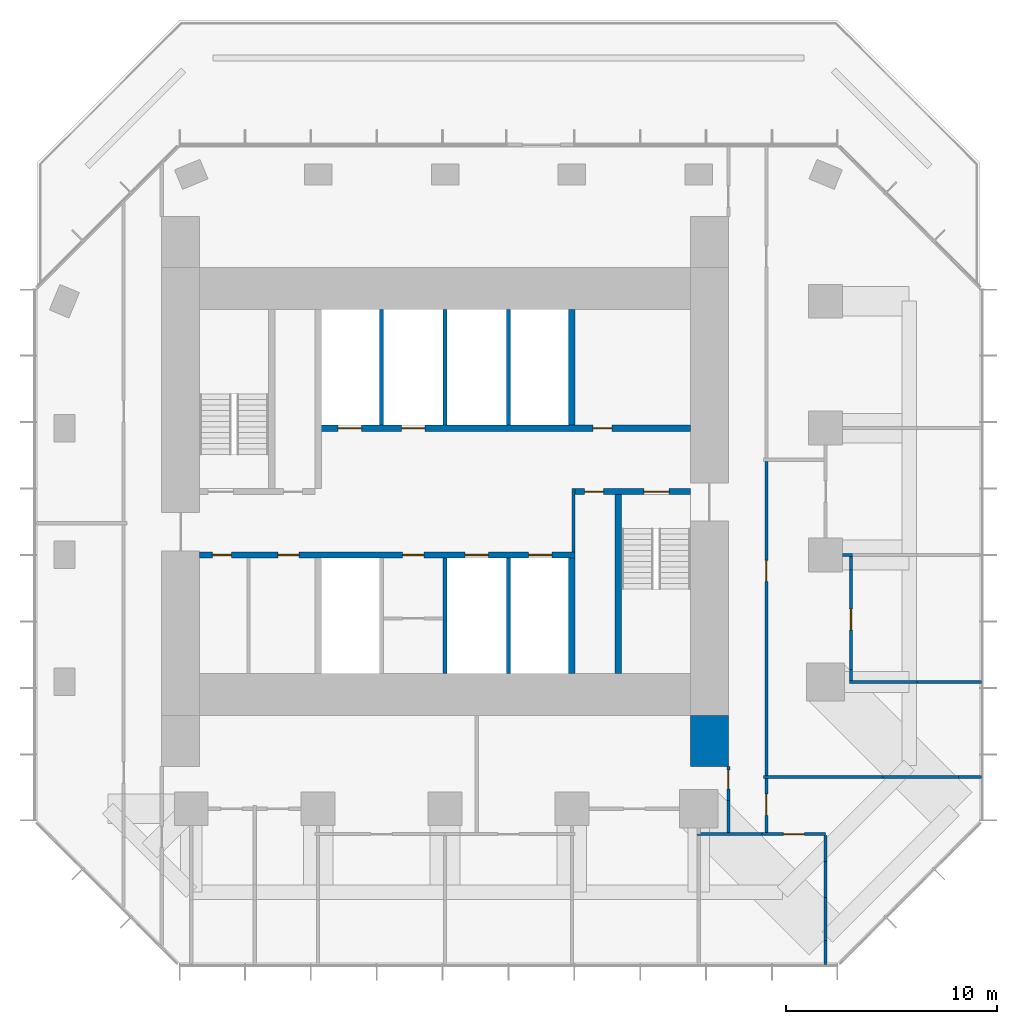
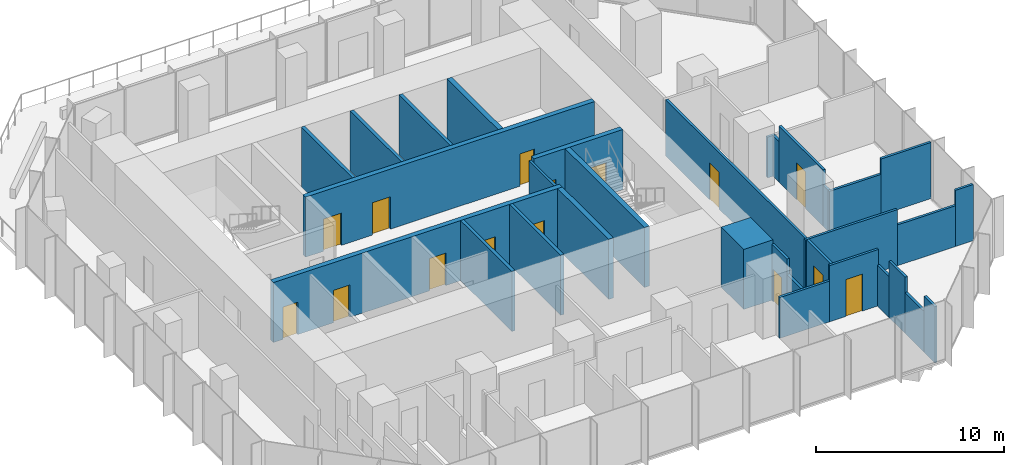
# One storey, part 9 of 11: 32 walls, 15 doors, 15 openings.
"""IFC4 building model written with IfcOpenShell, lengths in metres."""

from ifc_helpers import new_model, si_unit, direction, frame, frame_2d, origin, place, context, subcontext, project, spatial, rectangle, extrude, material, layer, layer_set, type_object, element, fill, save


model = new_model("IFC4")

# Units and contexts
model_context = context("Model", 3, precision=1e-05, world=origin(), true_north=direction((0.0, 1.0)))
body_context = subcontext(model_context, "Body", "Model", "MODEL_VIEW")
ifc_project = project(units=[si_unit("LENGTHUNIT", "METRE"), si_unit("AREAUNIT", "SQUARE_METRE"), si_unit("VOLUMEUNIT", "CUBIC_METRE"), si_unit("PLANEANGLEUNIT", "RADIAN"), si_unit("MASSUNIT", "GRAM", prefix="KILO")], contexts=[model_context])

# Site, building, storey
site_placement = place(None, origin())
site = spatial("IfcSite", under=ifc_project, at=site_placement, CompositionType="ELEMENT")
building_placement = place(site_placement, origin())
building = spatial("IfcBuilding", under=site, at=building_placement, Name="Highveld Stack Headquarters", CompositionType="ELEMENT")
storey_placement = place(building_placement, frame((0.0, 0.0, 268.39990234375)))
storey = spatial("IfcBuildingStorey", under=building, at=storey_placement, Name="L66", CompositionType="ELEMENT", Elevation=268.39990234375)

# Wall, openings, doors
ifc_material_1 = material(Name="Concrete C60/75", Category="concrete")
ifc_layer_1 = layer(ifc_material_1, 0.300048828125)
ifc_layer_set_1 = layer_set([ifc_layer_1], Name="Concrete C60/75")
wall_type_1 = type_object("IfcWallType", Name="CORE WALL 300 C60/75", PredefinedType="SHEAR", material=ifc_layer_set_1)
wall_1_placement = place(storey_placement, frame((-5.60009765625, 0.0, 0.0), z_axis=(0.0, 0.0, 1.0), x_axis=(1.0, 0.0, 0.0)))
wall_1 = element("IfcWall", 1, at=wall_1_placement, inside=storey, type_object=wall_type_1, Name="Core wall I-Y0 L66", PredefinedType="SHEAR", context=body_context, shape_type="SweptSolid", body=[
    extrude(rectangle(XDim=17.75, YDim=0.300048828125, at=frame_2d((8.875, 0.0))), origin(), (0.0, 0.0, 1.0), 3.900146484375),
])
opening_1_placement = place(wall_1_placement, frame((0.60009765625, 0.0, 0.0)))
opening_1 = element("IfcOpeningElement", 2, at=opening_1_placement, cuts=wall_1, Name="Opening L66-08", PredefinedType="OPENING", context=body_context, shape_type="SweptSolid", body=[
    extrude(rectangle(XDim=0.89990234375, YDim=2.10009765625, at=frame_2d((0.449951171875, 1.050048828125))), frame((0.0, 0.159912109375, 0.0), z_axis=(0.0, -1.0, 0.0), x_axis=(1.0, 0.0, 0.0)), (0.0, 0.0, 1.0), 0.320068359375),
])
opening_2_placement = place(wall_1_placement, frame((3.699951171875, 0.0, 0.0)))
opening_2 = element("IfcOpeningElement", 3, at=opening_2_placement, cuts=wall_1, Name="Opening L66-09", PredefinedType="OPENING", context=body_context, shape_type="SweptSolid", body=[
    extrude(rectangle(XDim=1.0, YDim=2.10009765625, at=frame_2d((0.5, 1.050048828125))), frame((0.0, 0.159912109375, 0.0), z_axis=(0.0, -1.0, 0.0), x_axis=(1.0, 0.0, 0.0)), (0.0, 0.0, 1.0), 0.320068359375),
])
opening_3_placement = place(wall_1_placement, frame((9.60009765625, 0.0, 0.0)))
opening_3 = element("IfcOpeningElement", 4, at=opening_3_placement, cuts=wall_1, Name="Opening L66-12", PredefinedType="OPENING", context=body_context, shape_type="SweptSolid", body=[
    extrude(rectangle(XDim=1.0, YDim=2.10009765625, at=frame_2d((0.5, 1.050048828125))), frame((0.0, 0.159912109375, 0.0), z_axis=(0.0, -1.0, 0.0), x_axis=(1.0, 0.0, 0.0)), (0.0, 0.0, 1.0), 0.320068359375),
])
opening_4_placement = place(wall_1_placement, frame((12.550048828125, 0.0, 0.0)))
opening_4 = element("IfcOpeningElement", 5, at=opening_4_placement, cuts=wall_1, Name="Opening LD", PredefinedType="OPENING", context=body_context, shape_type="SweptSolid", body=[
    extrude(rectangle(XDim=1.10009765625, YDim=2.10009765625, at=frame_2d((0.550048828125, 1.050048828125))), frame((0.0, 0.159912109375, 0.0), z_axis=(0.0, -1.0, 0.0), x_axis=(1.0, 0.0, 0.0)), (0.0, 0.0, 1.0), 0.320068359375),
])
opening_5_placement = place(wall_1_placement, frame((15.550048828125, 0.0, 0.0)))
opening_5 = element("IfcOpeningElement", 6, at=opening_5_placement, cuts=wall_1, Name="Opening LD", PredefinedType="OPENING", context=body_context, shape_type="SweptSolid", body=[
    extrude(rectangle(XDim=1.10009765625, YDim=2.10009765625, at=frame_2d((0.550048828125, 1.050048828125))), frame((0.0, 0.159912109375, 0.0), z_axis=(0.0, -1.0, 0.0), x_axis=(1.0, 0.0, 0.0)), (0.0, 0.0, 1.0), 0.320068359375),
])
ifc_material_2 = material(Name="Timber door, painted", Category="wood")
door_type_1 = type_object("IfcDoorType", Name="ACCESSIBLE WC DOOR D2 1000x2100", OperationType="SINGLE_SWING_RIGHT", PredefinedType="DOOR", material=ifc_material_2)
door_1_placement = place(opening_2_placement, origin())
door_1 = element("IfcDoor", 7, at=door_1_placement, inside=storey, type_object=door_type_1, Name="Accessible WC door L66", OperationType="SINGLE_SWING_LEFT", OverallHeight=2.10009765625, OverallWidth=1.0, PredefinedType="DOOR", context=body_context, shape_type="SweptSolid", body=[
    extrude(rectangle(XDim=1.0, YDim=2.10009765625, at=frame_2d((0.5, 1.050048828125))), frame((0.0, 0.02490234375, 0.0), z_axis=(0.0, -1.0, 0.0), x_axis=(1.0, 0.0, 0.0)), (0.0, 0.0, 1.0), 0.050048828125),
])
fill(opening_2, door_1)
ifc_material_3 = material(Name="Steel fire door", Category="steel")
door_type_2 = type_object("IfcDoorType", Name="CORE ROOM FIRE DOOR D14 1000x2100", OperationType="SINGLE_SWING_LEFT", PredefinedType="DOOR", material=ifc_material_3)
door_2_placement = place(opening_3_placement, origin())
door_2 = element("IfcDoor", 8, at=door_2_placement, inside=storey, type_object=door_type_2, Name="Capped B 1 door L66", OperationType="SINGLE_SWING_RIGHT", OverallHeight=2.10009765625, OverallWidth=1.0, PredefinedType="DOOR", context=body_context, shape_type="SweptSolid", body=[
    extrude(rectangle(XDim=1.0, YDim=2.10009765625, at=frame_2d((0.5, 1.050048828125))), frame((0.0, 0.02490234375, 0.0), z_axis=(0.0, -1.0, 0.0), x_axis=(1.0, 0.0, 0.0)), (0.0, 0.0, 1.0), 0.050048828125),
])
fill(opening_3, door_2)
ifc_material_4 = material(Name="Stainless steel lift landing door", Category="steel")
door_type_3 = type_object("IfcDoorType", Name="LIFT LANDING DOOR LD 1100x2100", OperationType="DOUBLE_DOOR_SLIDING", PredefinedType="USERDEFINED", material=ifc_material_4)
door_3_placement = place(opening_4_placement, origin())
door_3 = element("IfcDoor", 9, at=door_3_placement, inside=storey, type_object=door_type_3, Name="Lift landing door C1 L66", ObjectType="LIFT LANDING DOOR", OperationType="DOUBLE_DOOR_SLIDING", OverallHeight=2.10009765625, OverallWidth=1.10009765625, PredefinedType="USERDEFINED", context=body_context, shape_type="SweptSolid", body=[
    extrude(rectangle(XDim=1.10009765625, YDim=2.10009765625, at=frame_2d((0.550048828125, 1.050048828125))), frame((0.0, 0.02490234375, 0.0), z_axis=(0.0, -1.0, 0.0), x_axis=(1.0, 0.0, 0.0)), (0.0, 0.0, 1.0), 0.050048828125),
])
fill(opening_4, door_3)
door_4_placement = place(opening_5_placement, origin())
door_4 = element("IfcDoor", 10, at=door_4_placement, inside=storey, type_object=door_type_3, Name="Lift landing door C2 L66", ObjectType="LIFT LANDING DOOR", OperationType="DOUBLE_DOOR_SLIDING", OverallHeight=2.10009765625, OverallWidth=1.10009765625, PredefinedType="USERDEFINED", context=body_context, shape_type="SweptSolid", body=[
    extrude(rectangle(XDim=1.10009765625, YDim=2.10009765625, at=frame_2d((0.550048828125, 1.050048828125))), frame((0.0, 0.02490234375, 0.0), z_axis=(0.0, -1.0, 0.0), x_axis=(1.0, 0.0, 0.0)), (0.0, 0.0, 1.0), 0.050048828125),
])
fill(opening_5, door_4)
ifc_material_5 = material(Name="Timber door, painted", Category="wood")
door_type_4 = type_object("IfcDoorType", Name="WC DOOR D1 900x2100", OperationType="SINGLE_SWING_LEFT", PredefinedType="DOOR", material=ifc_material_5)
door_5_placement = place(opening_1_placement, origin())
door_5 = element("IfcDoor", 11, at=door_5_placement, inside=storey, type_object=door_type_4, Name="Female WC door L66", OperationType="SINGLE_SWING_LEFT", OverallHeight=2.10009765625, OverallWidth=0.89990234375, PredefinedType="DOOR", context=body_context, shape_type="SweptSolid", body=[
    extrude(rectangle(XDim=0.89990234375, YDim=2.10009765625, at=frame_2d((0.449951171875, 1.050048828125))), frame((0.0, 0.02490234375, 0.0), z_axis=(0.0, -1.0, 0.0), x_axis=(1.0, 0.0, 0.0)), (0.0, 0.0, 1.0), 0.050048828125),
])
fill(opening_1, door_5)

wall_2_placement = place(storey_placement, frame((12.14990234375, 3.0, 0.0), z_axis=(0.0, 0.0, 1.0), x_axis=(1.0, 0.0, 0.0)))
wall_2 = element("IfcWall", 12, at=wall_2_placement, inside=storey, type_object=wall_type_1, Name="Core wall I-Y3E L66", PredefinedType="SHEAR", context=body_context, shape_type="SweptSolid", body=[
    extrude(rectangle(XDim=5.4501953125, YDim=0.300048828125, at=frame_2d((2.72509765625, 0.0))), origin(), (0.0, 0.0, 1.0), 3.900146484375),
])
opening_6_placement = place(wall_2_placement, frame((3.25, 0.0, 0.0)))
opening_6 = element("IfcOpeningElement", 13, at=opening_6_placement, cuts=wall_2, Name="Opening L66-06", PredefinedType="OPENING", context=body_context, shape_type="SweptSolid", body=[
    extrude(rectangle(XDim=1.199951171875, YDim=2.10009765625, at=frame_2d((0.60009765625, 1.050048828125))), frame((0.0, 0.159912109375, 0.0), z_axis=(0.0, -1.0, 0.0), x_axis=(1.0, 0.0, 0.0)), (0.0, 0.0, 1.0), 0.320068359375),
])
opening_7_placement = place(wall_2_placement, frame((0.449951171875, 0.0, 0.0)))
opening_7 = element("IfcOpeningElement", 14, at=opening_7_placement, cuts=wall_2, Name="Opening L66-07", PredefinedType="OPENING", context=body_context, shape_type="SweptSolid", body=[
    extrude(rectangle(XDim=0.89990234375, YDim=2.10009765625, at=frame_2d((0.449951171875, 1.050048828125))), frame((0.0, 0.159912109375, 0.0), z_axis=(0.0, -1.0, 0.0), x_axis=(1.0, 0.0, 0.0)), (0.0, 0.0, 1.0), 0.320068359375),
])
ifc_material_6 = material(Name="Steel fire door", Category="steel")
door_type_5 = type_object("IfcDoorType", Name="RISER ACCESS DOOR D5 900x2100", OperationType="SINGLE_SWING_LEFT", PredefinedType="DOOR", material=ifc_material_6)
door_6_placement = place(opening_7_placement, origin())
door_6 = element("IfcDoor", 15, at=door_6_placement, inside=storey, type_object=door_type_5, Name="Riser R2 door L66", OperationType="SINGLE_SWING_LEFT", OverallHeight=2.10009765625, OverallWidth=0.89990234375, PredefinedType="DOOR", context=body_context, shape_type="SweptSolid", body=[
    extrude(rectangle(XDim=0.89990234375, YDim=2.10009765625, at=frame_2d((0.449951171875, 1.050048828125))), frame((0.0, 0.02490234375, 0.0), z_axis=(0.0, -1.0, 0.0), x_axis=(1.0, 0.0, 0.0)), (0.0, 0.0, 1.0), 0.050048828125),
])
fill(opening_7, door_6)
ifc_material_7 = material(Name="Steel fire door", Category="steel")
door_type_6 = type_object("IfcDoorType", Name="STAIR FIRE DOOR D3 1200x2100", OperationType="SINGLE_SWING_LEFT", PredefinedType="DOOR", material=ifc_material_7)
door_7_placement = place(opening_6_placement, origin())
door_7 = element("IfcDoor", 16, at=door_7_placement, inside=storey, type_object=door_type_6, Name="Stair S2 door L66", OperationType="SINGLE_SWING_RIGHT", OverallHeight=2.10009765625, OverallWidth=1.199951171875, PredefinedType="DOOR", context=body_context, shape_type="SweptSolid", body=[
    extrude(rectangle(XDim=1.199951171875, YDim=2.10009765625, at=frame_2d((0.60009765625, 1.050048828125))), frame((0.0, 0.02490234375, 0.0), z_axis=(0.0, -1.0, 0.0), x_axis=(1.0, 0.0, 0.0)), (0.0, 0.0, 1.0), 0.050048828125),
])
fill(opening_6, door_7)

wall_3_placement = place(storey_placement, frame((-0.14990234375, 6.0, 0.0), z_axis=(0.0, 0.0, 1.0), x_axis=(1.0, 0.0, 0.0)))
wall_3 = element("IfcWall", 17, at=wall_3_placement, inside=storey, type_object=wall_type_1, Name="Core wall I-Y6 L66", PredefinedType="SHEAR", context=body_context, shape_type="SweptSolid", body=[
    extrude(rectangle(XDim=17.75, YDim=0.300048828125, at=frame_2d((8.875, 0.0))), origin(), (0.0, 0.0, 1.0), 3.900146484375),
])
opening_8_placement = place(wall_3_placement, frame((13.14990234375, 0.0, 0.0)))
opening_8 = element("IfcOpeningElement", 18, at=opening_8_placement, cuts=wall_3, Name="Opening L66-10", PredefinedType="OPENING", context=body_context, shape_type="SweptSolid", body=[
    extrude(rectangle(XDim=0.89990234375, YDim=2.10009765625, at=frame_2d((0.449951171875, 1.050048828125))), frame((0.0, 0.159912109375, 0.0), z_axis=(0.0, -1.0, 0.0), x_axis=(1.0, 0.0, 0.0)), (0.0, 0.0, 1.0), 0.320068359375),
])
opening_9_placement = place(wall_3_placement, frame((1.10009765625, 0.0, 0.0)))
opening_9 = element("IfcOpeningElement", 19, at=opening_9_placement, cuts=wall_3, Name="Opening LD", PredefinedType="OPENING", context=body_context, shape_type="SweptSolid", body=[
    extrude(rectangle(XDim=1.10009765625, YDim=2.10009765625, at=frame_2d((0.550048828125, 1.050048828125))), frame((0.0, 0.159912109375, 0.0), z_axis=(0.0, -1.0, 0.0), x_axis=(1.0, 0.0, 0.0)), (0.0, 0.0, 1.0), 0.320068359375),
])
opening_10_placement = place(wall_3_placement, frame((4.10009765625, 0.0, 0.0)))
opening_10 = element("IfcOpeningElement", 20, at=opening_10_placement, cuts=wall_3, Name="Opening LD", PredefinedType="OPENING", context=body_context, shape_type="SweptSolid", body=[
    extrude(rectangle(XDim=1.10009765625, YDim=2.10009765625, at=frame_2d((0.550048828125, 1.050048828125))), frame((0.0, 0.159912109375, 0.0), z_axis=(0.0, -1.0, 0.0), x_axis=(1.0, 0.0, 0.0)), (0.0, 0.0, 1.0), 0.320068359375),
])
door_8_placement = place(opening_9_placement, origin())
door_8 = element("IfcDoor", 21, at=door_8_placement, inside=storey, type_object=door_type_3, Name="Lift landing door FF1 L66", ObjectType="LIFT LANDING DOOR", OperationType="DOUBLE_DOOR_SLIDING", OverallHeight=2.10009765625, OverallWidth=1.10009765625, PredefinedType="USERDEFINED", context=body_context, shape_type="SweptSolid", body=[
    extrude(rectangle(XDim=1.10009765625, YDim=2.10009765625, at=frame_2d((0.550048828125, 1.050048828125))), frame((0.0, 0.02490234375, 0.0), z_axis=(0.0, -1.0, 0.0), x_axis=(1.0, 0.0, 0.0)), (0.0, 0.0, 1.0), 0.050048828125),
])
fill(opening_9, door_8)
door_9_placement = place(opening_10_placement, origin())
door_9 = element("IfcDoor", 22, at=door_9_placement, inside=storey, type_object=door_type_3, Name="Lift landing door FF2 L66", ObjectType="LIFT LANDING DOOR", OperationType="DOUBLE_DOOR_SLIDING", OverallHeight=2.10009765625, OverallWidth=1.10009765625, PredefinedType="USERDEFINED", context=body_context, shape_type="SweptSolid", body=[
    extrude(rectangle(XDim=1.10009765625, YDim=2.10009765625, at=frame_2d((0.550048828125, 1.050048828125))), frame((0.0, 0.02490234375, 0.0), z_axis=(0.0, -1.0, 0.0), x_axis=(1.0, 0.0, 0.0)), (0.0, 0.0, 1.0), 0.050048828125),
])
fill(opening_10, door_9)
door_10_placement = place(opening_8_placement, origin())
door_10 = element("IfcDoor", 23, at=door_10_placement, inside=storey, type_object=door_type_4, Name="Male WC door L66", OperationType="SINGLE_SWING_RIGHT", OverallHeight=2.10009765625, OverallWidth=0.89990234375, PredefinedType="DOOR", context=body_context, shape_type="SweptSolid", body=[
    extrude(rectangle(XDim=0.89990234375, YDim=2.10009765625, at=frame_2d((0.449951171875, 1.050048828125))), frame((0.0, 0.02490234375, 0.0), z_axis=(0.0, -1.0, 0.0), x_axis=(1.0, 0.0, 0.0)), (0.0, 0.0, 1.0), 0.050048828125),
])
fill(opening_8, door_10)

# Walls
for number, where, z_axis, x_axis, name in (
    (24, (12.0, -5.60009765625, 0.0), (0.0, 0.0, 1.0), (0.0, 1.0, 0.0), "Core wall I-X12S L66"),
    (25, (12.0, 6.14990234375, 0.0), (0.0, 0.0, 1.0), (0.0, 1.0, 0.0), "Core wall I-X12N L66"),
):
    element("IfcWall", number, at=place(storey_placement, frame(where, z_axis=z_axis, x_axis=x_axis)), inside=storey, type_object=wall_type_1, Name=name, PredefinedType="SHEAR", context=body_context, shape_type="SweptSolid", body=[
        extrude(rectangle(XDim=5.4501953125, YDim=0.300048828125, at=frame_2d((2.72509765625, 0.0))), origin(), (0.0, 0.0, 1.0), 3.900146484375),
    ])
wall_4_placement = place(storey_placement, frame((14.199951171875, -5.60009765625, 0.0), z_axis=(0.0, 0.0, 1.0), x_axis=(0.0, 1.0, 0.0)))
element("IfcWall", 26, at=wall_4_placement, inside=storey, type_object=wall_type_1, Name="Core wall I-RE L66", PredefinedType="SHEAR", context=body_context, shape_type="SweptSolid", body=[
    extrude(rectangle(XDim=8.4501953125, YDim=0.300048828125, at=frame_2d((4.22509765625, 0.0))), origin(), (0.0, 0.0, 1.0), 3.900146484375),
])
ifc_material_8 = material(Name="Concrete C60/75", Category="concrete")
ifc_layer_2 = layer(ifc_material_8, 1.800048828125)
ifc_layer_set_2 = layer_set([ifc_layer_2], Name="Concrete C60/75")
wall_type_2 = type_object("IfcWallType", Name="CORE WING WALL 1800 C60/75", PredefinedType="SHEAR", material=ifc_layer_set_2)
wall_5_placement = place(storey_placement, frame((18.5, -10.0, 0.0), z_axis=(0.0, 0.0, 1.0), x_axis=(0.0, 1.0, 0.0)))
element("IfcWall", 27, at=wall_5_placement, inside=storey, type_object=wall_type_2, Name="Core wing wall ES L66", PredefinedType="SHEAR", context=body_context, shape_type="SweptSolid", body=[
    extrude(rectangle(XDim=2.39990234375, YDim=1.800048828125, at=frame_2d((1.199951171875, 0.0))), origin(), (0.0, 0.0, 1.0), 3.900146484375),
])
ifc_material_9 = material(Name="Concrete blockwork, plastered", Category="masonry")
ifc_layer_3 = layer(ifc_material_9, 0.14990234375)
ifc_layer_set_3 = layer_set([ifc_layer_3], Name="Concrete blockwork, plastered")
wall_type_3 = type_object("IfcWallType", Name="FIRE PARTITION 150 BLOCKWORK", PredefinedType="PARTITIONING", material=ifc_layer_set_3)
wall_6_placement = place(storey_placement, frame((12.074951171875, 0.14990234375, 0.0), z_axis=(0.0, 0.0, 1.0), x_axis=(0.0, 1.0, 0.0)))
element("IfcWall", 28, at=wall_6_placement, inside=storey, type_object=wall_type_3, Name="Riser R2 enclosure L66", PredefinedType="PARTITIONING", context=body_context, shape_type="SweptSolid", body=[
    extrude(rectangle(XDim=3.0, YDim=0.14990234375, at=frame_2d((1.5, 0.0))), origin(), (0.0, 0.0, 1.0), 3.650146484375),
])
ifc_material_10 = material(Name="Concrete blockwork, fair-faced", Category="masonry")
ifc_layer_4 = layer(ifc_material_10, 0.199951171875)
ifc_layer_set_4 = layer_set([ifc_layer_4], Name="Concrete blockwork, fair-faced")
wall_type_4 = type_object("IfcWallType", Name="LIFT SHAFT ENCLOSURE WALL 200 BLOCKWORK", PredefinedType="SOLIDWALL", material=ifc_layer_set_4)
for number, where, z_axis, x_axis, name in (
    (29, (3.0, 6.14990234375, 0.0), (0.0, 0.0, 1.0), (0.0, 1.0, 0.0), "Lift shaft wall L66"),
    (30, (6.0, 6.14990234375, 0.0), (0.0, 0.0, 1.0), (0.0, 1.0, 0.0), "Lift shaft wall L66"),
    (31, (9.0, 6.14990234375, 0.0), (0.0, 0.0, 1.0), (0.0, 1.0, 0.0), "Lift shaft wall L66"),
    (32, (6.0, -5.60009765625, 0.0), (0.0, 0.0, 1.0), (0.0, 1.0, 0.0), "Lift shaft wall L66"),
    (33, (9.0, -5.60009765625, 0.0), (0.0, 0.0, 1.0), (0.0, 1.0, 0.0), "Lift shaft wall L66"),
):
    element("IfcWall", number, at=place(storey_placement, frame(where, z_axis=z_axis, x_axis=x_axis)), inside=storey, type_object=wall_type_4, Name=name, PredefinedType="SOLIDWALL", context=body_context, shape_type="SweptSolid", body=[
        extrude(rectangle(XDim=5.4501953125, YDim=0.199951171875, at=frame_2d((2.72509765625, 0.0))), origin(), (0.0, 0.0, 1.0), 3.900146484375),
    ])
ifc_material_11 = material(Name="Gypsum plasterboard on steel studs", Category="steel")
ifc_layer_5 = layer(ifc_material_11, 0.14990234375)
ifc_layer_set_5 = layer_set([ifc_layer_5], Name="Gypsum plasterboard on steel studs")
wall_type_5 = type_object("IfcWallType", Name="PARTITION 150 PLASTERBOARD", PredefinedType="PARTITIONING", material=ifc_layer_set_5)
wall_7_placement = place(storey_placement, frame((17.925048828125, -13.199951171875, 0.0), z_axis=(0.0, 0.0, 1.0), x_axis=(1.0, 0.0, 0.0)))
element("IfcWall", 34, at=wall_7_placement, inside=storey, type_object=wall_type_5, Name="Partition Assistants office L66", PredefinedType="PARTITIONING", context=body_context, shape_type="SweptSolid", body=[
    extrude(rectangle(XDim=3.067138671875, YDim=0.14990234375, at=frame_2d((1.53369140625, 0.0))), origin(), (0.0, 0.0, 1.0), 2.650146484375),
])

# Wall, opening, door
wall_8_placement = place(storey_placement, frame((20.9921875, -13.199951171875, 0.0), z_axis=(0.0, 0.0, 1.0), x_axis=(1.0, 0.0, 0.0)))
wall_8 = element("IfcWall", 35, at=wall_8_placement, inside=storey, type_object=wall_type_5, Name="Partition Assistants office L66", PredefinedType="PARTITIONING", context=body_context, shape_type="SweptSolid", body=[
    extrude(rectangle(XDim=3.0078125, YDim=0.14990234375, at=frame_2d((1.50390625, 0.0))), origin(), (0.0, 0.0, 1.0), 3.650146484375),
])
opening_11_placement = place(wall_8_placement, frame((1.00390625, 0.0, 0.0)))
opening_11 = element("IfcOpeningElement", 36, at=opening_11_placement, cuts=wall_8, Name="Opening L66-18", PredefinedType="OPENING", context=body_context, shape_type="SweptSolid", body=[
    extrude(rectangle(XDim=1.0, YDim=2.39990234375, at=frame_2d((0.5, 1.199951171875))), frame((0.0, 0.0849609375, 0.0), z_axis=(0.0, -1.0, 0.0), x_axis=(1.0, 0.0, 0.0)), (0.0, 0.0, 1.0), 0.169921875),
])
ifc_material_12 = material(Name="Timber door, oiled ash", Category="wood")
door_type_7 = type_object("IfcDoorType", Name="ROOM DOOR D11 1000x2400", OperationType="SINGLE_SWING_LEFT", PredefinedType="DOOR", material=ifc_material_12)
door_11_placement = place(opening_11_placement, origin())
door_11 = element("IfcDoor", 37, at=door_11_placement, inside=storey, type_object=door_type_7, Name="Assistants office door 1 L66", OperationType="SINGLE_SWING_RIGHT", OverallHeight=2.39990234375, OverallWidth=1.0, PredefinedType="DOOR", context=body_context, shape_type="SweptSolid", body=[
    extrude(rectangle(XDim=1.0, YDim=2.39990234375, at=frame_2d((0.5, 1.199951171875))), frame((0.0, 0.02490234375, 0.0), z_axis=(0.0, -1.0, 0.0), x_axis=(1.0, 0.0, 0.0)), (0.0, 0.0, 1.0), 0.050048828125),
])
fill(opening_11, door_11)

# Walls
wall_9_placement = place(storey_placement, frame((25.125, -6.0, 0.0), z_axis=(0.0, 0.0, 1.0), x_axis=(1.0, 0.0, 0.0)))
element("IfcWall", 38, at=wall_9_placement, inside=storey, type_object=wall_type_5, Name="Partition Assistants office L66", PredefinedType="PARTITIONING", context=body_context, shape_type="SweptSolid", body=[
    extrude(rectangle(XDim=3.18505859375, YDim=0.14990234375, at=frame_2d((1.592529296875, 0.0))), origin(), (0.0, 0.0, 1.0), 2.650146484375),
])
wall_10_placement = place(storey_placement, frame((28.31005859375, -6.0, 0.0), z_axis=(0.0, 0.0, 1.0), x_axis=(1.0, 0.0, 0.0)))
element("IfcWall", 39, at=wall_10_placement, inside=storey, type_object=wall_type_5, Name="Partition Assistants office L66", PredefinedType="PARTITIONING", context=body_context, shape_type="SweptSolid", body=[
    extrude(rectangle(XDim=3.06494140625, YDim=0.14990234375, at=frame_2d((1.532470703125, 0.0))), origin(), (0.0, 0.0, 1.0), 3.650146484375),
])
wall_11_placement = place(storey_placement, frame((24.800048828125, 0.0, 0.0), z_axis=(0.0, 0.0, 1.0), x_axis=(1.0, 0.0, 0.0)))
element("IfcWall", 40, at=wall_11_placement, inside=storey, type_object=wall_type_5, Name="Partition Executive office L66", PredefinedType="PARTITIONING", context=body_context, shape_type="SweptSolid", body=[
    extrude(rectangle(XDim=0.474853515625, YDim=0.14990234375, at=frame_2d((0.2373046875, 0.0))), origin(), (0.0, 0.0, 1.0), 2.650146484375),
])
wall_12_placement = place(storey_placement, frame((24.0, -19.375, 0.0), z_axis=(0.0, 0.0, 1.0), x_axis=(0.0, 1.0, 0.0)))
element("IfcWall", 41, at=wall_12_placement, inside=storey, type_object=wall_type_5, Name="Partition Assistants office L66", PredefinedType="PARTITIONING", context=body_context, shape_type="SweptSolid", body=[
    extrude(rectangle(XDim=1.137939453125, YDim=0.14990234375, at=frame_2d((0.56884765625, 0.0))), origin(), (0.0, 0.0, 1.0), 3.650146484375),
])
wall_13_placement = place(storey_placement, frame((24.0, -18.237060546875, 0.0), z_axis=(0.0, 0.0, 1.0), x_axis=(0.0, 1.0, 0.0)))
element("IfcWall", 42, at=wall_13_placement, inside=storey, type_object=wall_type_5, Name="Partition Assistants office L66", PredefinedType="PARTITIONING", context=body_context, shape_type="SweptSolid", body=[
    extrude(rectangle(XDim=2.029052734375, YDim=0.14990234375, at=frame_2d((1.0146484375, 0.0))), origin(), (0.0, 0.0, 1.0), 2.650146484375),
])
wall_14_placement = place(storey_placement, frame((24.0, -16.2080078125, 0.0), z_axis=(0.0, 0.0, 1.0), x_axis=(0.0, 1.0, 0.0)))
element("IfcWall", 43, at=wall_14_placement, inside=storey, type_object=wall_type_5, Name="Partition Assistants office L66", PredefinedType="PARTITIONING", context=body_context, shape_type="SweptSolid", body=[
    extrude(rectangle(XDim=1.718017578125, YDim=0.14990234375, at=frame_2d((0.85888671875, 0.0))), origin(), (0.0, 0.0, 1.0), 3.650146484375),
])
wall_15_placement = place(storey_placement, frame((24.0, -14.489990234375, 0.0), z_axis=(0.0, 0.0, 1.0), x_axis=(0.0, 1.0, 0.0)))
element("IfcWall", 44, at=wall_15_placement, inside=storey, type_object=wall_type_5, Name="Partition Assistants office L66", PredefinedType="PARTITIONING", context=body_context, shape_type="SweptSolid", body=[
    extrude(rectangle(XDim=1.22998046875, YDim=0.14990234375, at=frame_2d((0.614990234375, 0.0))), origin(), (0.0, 0.0, 1.0), 2.650146484375),
])
wall_16_placement = place(storey_placement, frame((25.199951171875, -5.925048828125, 0.0), z_axis=(0.0, 0.0, 1.0), x_axis=(0.0, 1.0, 0.0)))
element("IfcWall", 45, at=wall_16_placement, inside=storey, type_object=wall_type_5, Name="Partition Assistants office L66", PredefinedType="PARTITIONING", context=body_context, shape_type="SweptSolid", body=[
    extrude(rectangle(XDim=0.51708984375, YDim=0.14990234375, at=frame_2d((0.258544921875, 0.0))), origin(), (0.0, 0.0, 1.0), 2.650146484375),
])

# Wall, opening, door
wall_17_placement = place(storey_placement, frame((25.199951171875, -5.407958984375, 0.0), z_axis=(0.0, 0.0, 1.0), x_axis=(0.0, 1.0, 0.0)))
wall_17 = element("IfcWall", 46, at=wall_17_placement, inside=storey, type_object=wall_type_5, Name="Partition Assistants office L66", PredefinedType="PARTITIONING", context=body_context, shape_type="SweptSolid", body=[
    extrude(rectangle(XDim=4.697998046875, YDim=0.14990234375, at=frame_2d((2.34912109375, 0.0))), origin(), (0.0, 0.0, 1.0), 3.650146484375),
])
opening_12_placement = place(wall_17_placement, frame((1.84912109375, 0.0, 0.0)))
opening_12 = element("IfcOpeningElement", 47, at=opening_12_placement, cuts=wall_17, Name="Opening L66-19", PredefinedType="OPENING", context=body_context, shape_type="SweptSolid", body=[
    extrude(rectangle(XDim=1.0, YDim=2.39990234375, at=frame_2d((0.5, 1.199951171875))), frame((0.0, 0.0849609375, 0.0), z_axis=(0.0, -1.0, 0.0), x_axis=(1.0, 0.0, 0.0)), (0.0, 0.0, 1.0), 0.169921875),
])
door_12_placement = place(opening_12_placement, origin())
door_12 = element("IfcDoor", 48, at=door_12_placement, inside=storey, type_object=door_type_7, Name="Assistants office door 1 L66", OperationType="SINGLE_SWING_RIGHT", OverallHeight=2.39990234375, OverallWidth=1.0, PredefinedType="DOOR", context=body_context, shape_type="SweptSolid", body=[
    extrude(rectangle(XDim=1.0, YDim=2.39990234375, at=frame_2d((0.5, 1.199951171875))), frame((0.0, 0.02490234375, 0.0), z_axis=(0.0, -1.0, 0.0), x_axis=(1.0, 0.0, 0.0)), (0.0, 0.0, 1.0), 0.050048828125),
])
fill(opening_12, door_12)

# Walls
wall_18_placement = place(storey_placement, frame((25.199951171875, -0.7099609375, 0.0), z_axis=(0.0, 0.0, 1.0), x_axis=(0.0, 1.0, 0.0)))
element("IfcWall", 49, at=wall_18_placement, inside=storey, type_object=wall_type_5, Name="Partition Assistants office L66", PredefinedType="PARTITIONING", context=body_context, shape_type="SweptSolid", body=[
    extrude(rectangle(XDim=0.635009765625, YDim=0.14990234375, at=frame_2d((0.3173828125, 0.0))), origin(), (0.0, 0.0, 1.0), 2.650146484375),
])
wall_19_placement = place(storey_placement, frame((19.39990234375, -13.125, 0.0), z_axis=(0.0, 0.0, 1.0), x_axis=(0.0, 1.0, 0.0)))
element("IfcWall", 50, at=wall_19_placement, inside=storey, type_object=wall_type_5, Name="Partition office neighbourhood L66", PredefinedType="PARTITIONING", context=body_context, shape_type="SweptSolid", body=[
    extrude(rectangle(XDim=1.51708984375, YDim=0.14990234375, at=frame_2d((0.758544921875, 0.0))), origin(), (0.0, 0.0, 1.0), 2.650146484375),
])

# Wall, opening, door
wall_20_placement = place(storey_placement, frame((19.39990234375, -11.60791015625, 0.0), z_axis=(0.0, 0.0, 1.0), x_axis=(0.0, 1.0, 0.0)))
wall_20 = element("IfcWall", 51, at=wall_20_placement, inside=storey, type_object=wall_type_5, Name="Partition office neighbourhood L66", PredefinedType="PARTITIONING", context=body_context, shape_type="SweptSolid", body=[
    extrude(rectangle(XDim=1.60791015625, YDim=0.14990234375, at=frame_2d((0.803955078125, 0.0))), origin(), (0.0, 0.0, 1.0), 3.650146484375),
])
opening_13_placement = place(wall_20_placement, frame((0.550048828125, 0.0, 0.0)))
opening_13 = element("IfcOpeningElement", 52, at=opening_13_placement, cuts=wall_20, Name="Opening L66-28", PredefinedType="OPENING", context=body_context, shape_type="SweptSolid", body=[
    extrude(rectangle(XDim=0.89990234375, YDim=2.10009765625, at=frame_2d((0.449951171875, 1.050048828125))), frame((0.0, 0.0849609375, 0.0), z_axis=(0.0, -1.0, 0.0), x_axis=(1.0, 0.0, 0.0)), (0.0, 0.0, 1.0), 0.169921875),
])
ifc_material_13 = material(Name="Timber door, oiled ash", Category="wood")
door_type_8 = type_object("IfcDoorType", Name="ROOM DOOR D15 900x2100", OperationType="SINGLE_SWING_LEFT", PredefinedType="DOOR", material=ifc_material_13)
door_13_placement = place(opening_13_placement, origin())
door_13 = element("IfcDoor", 53, at=door_13_placement, inside=storey, type_object=door_type_8, Name="Office neighbourhood door L66", OperationType="SINGLE_SWING_RIGHT", OverallHeight=2.10009765625, OverallWidth=0.89990234375, PredefinedType="DOOR", context=body_context, shape_type="SweptSolid", body=[
    extrude(rectangle(XDim=0.89990234375, YDim=2.10009765625, at=frame_2d((0.449951171875, 1.050048828125))), frame((0.0, 0.02490234375, 0.0), z_axis=(0.0, -1.0, 0.0), x_axis=(1.0, 0.0, 0.0)), (0.0, 0.0, 1.0), 0.050048828125),
])
fill(opening_13, door_13)

wall_21_placement = place(storey_placement, frame((21.199951171875, -13.125, 0.0), z_axis=(0.0, 0.0, 1.0), x_axis=(0.0, 1.0, 0.0)))
wall_21 = element("IfcWall", 54, at=wall_21_placement, inside=storey, type_object=wall_type_5, Name="Partition office neighbourhood L66", PredefinedType="PARTITIONING", context=body_context, shape_type="SweptSolid", body=[
    extrude(rectangle(XDim=2.550048828125, YDim=0.14990234375, at=frame_2d((1.27490234375, 0.0))), origin(), (0.0, 0.0, 1.0), 3.650146484375),
])
opening_14_placement = place(wall_21_placement, frame((0.81201171875, 0.0, 0.0)))
opening_14 = element("IfcOpeningElement", 55, at=opening_14_placement, cuts=wall_21, Name="Opening L66-21", PredefinedType="OPENING", context=body_context, shape_type="SweptSolid", body=[
    extrude(rectangle(XDim=1.0, YDim=2.39990234375, at=frame_2d((0.5, 1.199951171875))), frame((0.0, 0.0849609375, 0.0), z_axis=(0.0, -1.0, 0.0), x_axis=(1.0, 0.0, 0.0)), (0.0, 0.0, 1.0), 0.169921875),
])
door_14_placement = place(opening_14_placement, origin())
door_14 = element("IfcDoor", 56, at=door_14_placement, inside=storey, type_object=door_type_7, Name="Office neighbourhood door L66", OperationType="SINGLE_SWING_RIGHT", OverallHeight=2.39990234375, OverallWidth=1.0, PredefinedType="DOOR", context=body_context, shape_type="SweptSolid", body=[
    extrude(rectangle(XDim=1.0, YDim=2.39990234375, at=frame_2d((0.5, 1.199951171875))), frame((0.0, 0.02490234375, 0.0), z_axis=(0.0, -1.0, 0.0), x_axis=(1.0, 0.0, 0.0)), (0.0, 0.0, 1.0), 0.050048828125),
])
fill(opening_14, door_14)

wall_22_placement = place(storey_placement, frame((21.199951171875, -10.425048828125, 0.0), z_axis=(0.0, 0.0, 1.0), x_axis=(0.0, 1.0, 0.0)))
wall_22 = element("IfcWall", 57, at=wall_22_placement, inside=storey, type_object=wall_type_5, Name="Partition office neighbourhood L66", PredefinedType="PARTITIONING", context=body_context, shape_type="SweptSolid", body=[
    extrude(rectangle(XDim=14.85009765625, YDim=0.14990234375, at=frame_2d((7.425048828125, 0.0))), origin(), (0.0, 0.0, 1.0), 3.650146484375),
])
opening_15_placement = place(wall_22_placement, frame((9.175048828125, 0.0, 0.0)))
opening_15 = element("IfcOpeningElement", 58, at=opening_15_placement, cuts=wall_22, Name="Opening L66-23", PredefinedType="OPENING", context=body_context, shape_type="SweptSolid", body=[
    extrude(rectangle(XDim=1.0, YDim=2.39990234375, at=frame_2d((0.5, 1.199951171875))), frame((0.0, 0.0849609375, 0.0), z_axis=(0.0, -1.0, 0.0), x_axis=(1.0, 0.0, 0.0)), (0.0, 0.0, 1.0), 0.169921875),
])
door_15_placement = place(opening_15_placement, origin())
door_15 = element("IfcDoor", 59, at=door_15_placement, inside=storey, type_object=door_type_7, Name="Office neighbourhood door L66", OperationType="SINGLE_SWING_RIGHT", OverallHeight=2.39990234375, OverallWidth=1.0, PredefinedType="DOOR", context=body_context, shape_type="SweptSolid", body=[
    extrude(rectangle(XDim=1.0, YDim=2.39990234375, at=frame_2d((0.5, 1.199951171875))), frame((0.0, 0.02490234375, 0.0), z_axis=(0.0, -1.0, 0.0), x_axis=(1.0, 0.0, 0.0)), (0.0, 0.0, 1.0), 0.050048828125),
])
fill(opening_15, door_15)

# Walls
wall_23_placement = place(storey_placement, frame((21.050048828125, -10.5, 0.0), z_axis=(0.0, 0.0, 1.0), x_axis=(1.0, 0.0, 0.0)))
element("IfcWall", 60, at=wall_23_placement, inside=storey, type_object=wall_type_5, Name="Partition office neighbourhood L66", PredefinedType="PARTITIONING", context=body_context, shape_type="SweptSolid", body=[
    extrude(rectangle(XDim=5.657958984375, YDim=0.14990234375, at=frame_2d((2.8291015625, 0.0))), origin(), (0.0, 0.0, 1.0), 3.650146484375),
])
wall_24_placement = place(storey_placement, frame((26.7080078125, -10.5, 0.0), z_axis=(0.0, 0.0, 1.0), x_axis=(1.0, 0.0, 0.0)))
element("IfcWall", 61, at=wall_24_placement, inside=storey, type_object=wall_type_5, Name="Partition office neighbourhood L66", PredefinedType="PARTITIONING", context=body_context, shape_type="SweptSolid", body=[
    extrude(rectangle(XDim=3.583984375, YDim=0.14990234375, at=frame_2d((1.7919921875, 0.0))), origin(), (0.0, 0.0, 1.0), 2.650146484375),
])
wall_25_placement = place(storey_placement, frame((30.2919921875, -10.5, 0.0), z_axis=(0.0, 0.0, 1.0), x_axis=(1.0, 0.0, 0.0)))
element("IfcWall", 62, at=wall_25_placement, inside=storey, type_object=wall_type_5, Name="Partition office neighbourhood L66", PredefinedType="PARTITIONING", context=body_context, shape_type="SweptSolid", body=[
    extrude(rectangle(XDim=1.0830078125, YDim=0.14990234375, at=frame_2d((0.54150390625, 0.0))), origin(), (0.0, 0.0, 1.0), 3.650146484375),
])

save(model, "model.ifc")
